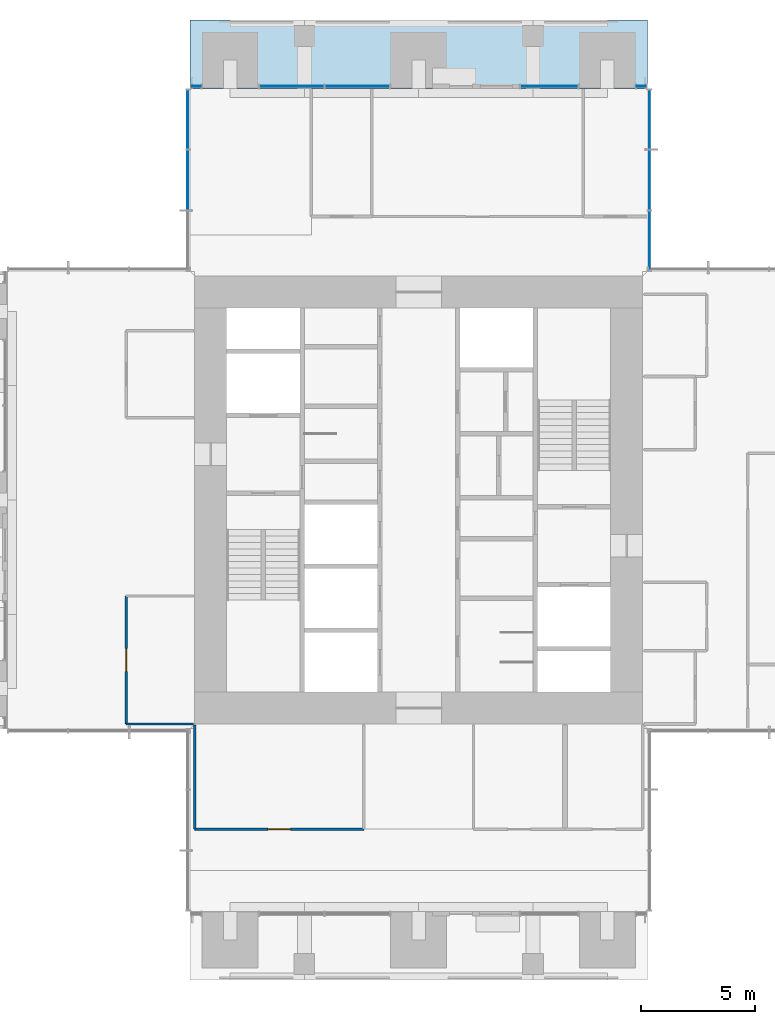
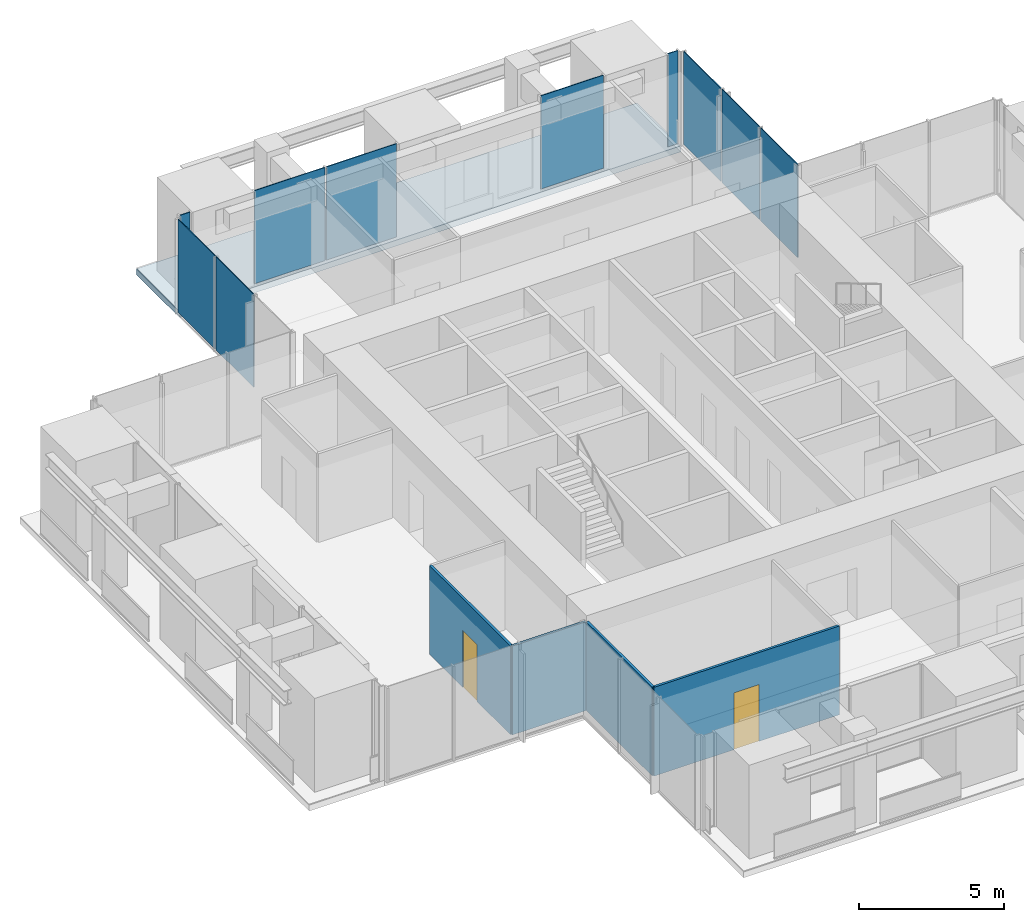
# One storey, part 11 of 17: 10 plates, 4 walls, 2 doors, 1 slab, 2 openings, 6 elements without a shape of their own.
"""IFC4 building model written with IfcOpenShell, lengths in metres."""

from ifc_helpers import new_model, si_unit, direction, frame, frame_2d, origin, origin_2d, place, context, subcontext, project, spatial, polyline, rectangle, outline, extrude, material, layer, layer_set, type_object, element, fill, aggregate, save


model = new_model("IFC4")

# Units and contexts
model_context = context("Model", 3, precision=1e-05, world=origin(), true_north=direction((0.0, 1.0)))
body_context = subcontext(model_context, "Body", "Model", "MODEL_VIEW")
ifc_project = project(units=[si_unit("LENGTHUNIT", "METRE"), si_unit("AREAUNIT", "SQUARE_METRE"), si_unit("VOLUMEUNIT", "CUBIC_METRE"), si_unit("PLANEANGLEUNIT", "RADIAN"), si_unit("MASSUNIT", "GRAM", prefix="KILO")], contexts=[model_context])

# Site, building, storey
site_placement = place(None, origin())
site = spatial("IfcSite", under=ifc_project, at=site_placement, CompositionType="ELEMENT")
building_placement = place(site_placement, origin())
building = spatial("IfcBuilding", under=site, at=building_placement, Name="Svetlomir Tower", CompositionType="ELEMENT")
storey_placement = place(building_placement, frame((0.0, 0.0, 226.5)))
storey = spatial("IfcBuildingStorey", under=building, at=storey_placement, Name="L54", CompositionType="ELEMENT", Elevation=226.5)

# Curtain wall, plates
ifc_material_1 = material(Name="Bronze anodised aluminium curtain wall", Category="aluminium")
curtain_wall_type = type_object("IfcCurtainWallType", Name="CURTAIN WALL CW1 TOWER OFFICE", PredefinedType="NOTDEFINED", material=ifc_material_1)
curtain_wall_1_placement = place(storey_placement, origin())
curtain_wall_1 = element("IfcCurtainWall", 1, at=curtain_wall_1_placement, inside=storey, type_object=curtain_wall_type, Name="Curtain wall CW1 L54", PredefinedType="NOTDEFINED")
ifc_material_2 = material(Name="Tinted double glazed unit", Category="glass")
ifc_layer_1 = layer(ifc_material_2, 0.031982421875)
ifc_layer_set_1 = layer_set([ifc_layer_1], Name="Tinted double glazed unit")
plate_type = type_object("IfcPlateType", Name="CW1 GLAZED PANEL 32", PredefinedType="CURTAIN_PANEL", material=ifc_layer_set_1)
plate_1_placement = place(storey_placement, frame((31.10009765625, 32.349609375, 0.06494140625), z_axis=(0.0, 0.0, 1.0), x_axis=(0.0, 1.0, 0.0)))
plate_1 = element("IfcPlate", 2, at=plate_1_placement, type_object=plate_type, Name="CW1 panel 1.1", PredefinedType="CURTAIN_PANEL", context=body_context, shape_type="SweptSolid", body=[
    extrude(rectangle(XDim=2.569091796875, YDim=0.031982421875, at=origin_2d()), origin(), (0.0, 0.0, 1.0), 3.93505859375),
])
plate_2_placement = place(storey_placement, frame((31.10009765625, 35.0, 0.06494140625), z_axis=(0.0, 0.0, 1.0), x_axis=(0.0, 1.0, 0.0)))
plate_2 = element("IfcPlate", 3, at=plate_2_placement, type_object=plate_type, Name="CW1 panel 2.1", PredefinedType="CURTAIN_PANEL", context=body_context, shape_type="SweptSolid", body=[
    extrude(rectangle(XDim=2.6015625, YDim=0.031982421875, at=origin_2d()), origin(), (0.0, 0.0, 1.0), 3.93505859375),
])
plate_3_placement = place(storey_placement, frame((31.10009765625, 37.650390625, 0.06494140625), z_axis=(0.0, 0.0, 1.0), x_axis=(0.0, 1.0, 0.0)))
plate_3 = element("IfcPlate", 4, at=plate_3_placement, type_object=plate_type, Name="CW1 panel 3.1", PredefinedType="CURTAIN_PANEL", context=body_context, shape_type="SweptSolid", body=[
    extrude(rectangle(XDim=2.569091796875, YDim=0.031982421875, at=origin_2d()), origin(), (0.0, 0.0, 1.0), 3.93505859375),
])
aggregate(curtain_wall_1, [plate_1, plate_2, plate_3])

# Curtain wall, plate
curtain_wall_2_placement = place(storey_placement, origin())
curtain_wall_2 = element("IfcCurtainWall", 5, at=curtain_wall_2_placement, inside=storey, type_object=curtain_wall_type, Name="Curtain wall CW1 L54", PredefinedType="NOTDEFINED")
plate_4_placement = place(storey_placement, frame((30.737548828125, 39.10009765625, 0.06494140625), z_axis=(0.0, 0.0, 1.0), x_axis=(-1.0, 0.0, 0.0)))
plate_4 = element("IfcPlate", 6, at=plate_4_placement, type_object=plate_type, Name="CW1 panel 1.1", PredefinedType="CURTAIN_PANEL", context=body_context, shape_type="SweptSolid", body=[
    extrude(rectangle(XDim=0.39501953125, YDim=0.031982421875, at=origin_2d()), origin(), (0.0, 0.0, 1.0), 3.93505859375),
])
aggregate(curtain_wall_2, [plate_4])

curtain_wall_3_placement = place(storey_placement, origin())
curtain_wall_3 = element("IfcCurtainWall", 7, at=curtain_wall_3_placement, inside=storey, type_object=curtain_wall_type, Name="Curtain wall CW1 L54", PredefinedType="NOTDEFINED")
plate_5_placement = place(storey_placement, frame((26.71240234375, 39.10009765625, 0.06494140625), z_axis=(0.0, 0.0, 1.0), x_axis=(-1.0, 0.0, 0.0)))
plate_5 = element("IfcPlate", 8, at=plate_5_placement, type_object=plate_type, Name="CW1 panel 1.1", PredefinedType="CURTAIN_PANEL", context=body_context, shape_type="SweptSolid", body=[
    extrude(rectangle(XDim=2.4951171875, YDim=0.031982421875, at=origin_2d()), origin(), (0.0, 0.0, 1.0), 3.93505859375),
])
aggregate(curtain_wall_3, [plate_5])

# Curtain wall, plates
curtain_wall_4_placement = place(storey_placement, origin())
curtain_wall_4 = element("IfcCurtainWall", 9, at=curtain_wall_4_placement, inside=storey, type_object=curtain_wall_type, Name="Curtain wall CW1 L54", PredefinedType="NOTDEFINED")
plate_6_placement = place(storey_placement, frame((18.308837890625, 39.10009765625, 0.06494140625), z_axis=(0.0, 0.0, 1.0), x_axis=(-1.0, 0.0, 0.0)))
plate_6 = element("IfcPlate", 10, at=plate_6_placement, type_object=plate_type, Name="CW1 panel 1.1", PredefinedType="CURTAIN_PANEL", context=body_context, shape_type="SweptSolid", body=[
    extrude(rectangle(XDim=2.802490234375, YDim=0.031982421875, at=origin_2d()), origin(), (0.0, 0.0, 1.0), 3.93505859375),
])
plate_7_placement = place(storey_placement, frame((15.441162109375, 39.10009765625, 0.06494140625), z_axis=(0.0, 0.0, 1.0), x_axis=(-1.0, 0.0, 0.0)))
plate_7 = element("IfcPlate", 11, at=plate_7_placement, type_object=plate_type, Name="CW1 panel 2.1", PredefinedType="CURTAIN_PANEL", context=body_context, shape_type="SweptSolid", body=[
    extrude(rectangle(XDim=2.802490234375, YDim=0.031982421875, at=origin_2d()), origin(), (0.0, 0.0, 1.0), 3.93505859375),
])
aggregate(curtain_wall_4, [plate_6, plate_7])

# Curtain wall, plate
curtain_wall_5_placement = place(storey_placement, origin())
curtain_wall_5 = element("IfcCurtainWall", 12, at=curtain_wall_5_placement, inside=storey, type_object=curtain_wall_type, Name="Curtain wall CW1 L54", PredefinedType="NOTDEFINED")
plate_8_placement = place(storey_placement, frame((11.262451171875, 39.10009765625, 0.06494140625), z_axis=(0.0, 0.0, 1.0), x_axis=(-1.0, 0.0, 0.0)))
plate_8 = element("IfcPlate", 13, at=plate_8_placement, type_object=plate_type, Name="CW1 panel 1.1", PredefinedType="CURTAIN_PANEL", context=body_context, shape_type="SweptSolid", body=[
    extrude(rectangle(XDim=0.39501953125, YDim=0.031982421875, at=origin_2d()), origin(), (0.0, 0.0, 1.0), 3.93505859375),
])
aggregate(curtain_wall_5, [plate_8])

# Curtain wall, plates
curtain_wall_6_placement = place(storey_placement, origin())
curtain_wall_6 = element("IfcCurtainWall", 14, at=curtain_wall_6_placement, inside=storey, type_object=curtain_wall_type, Name="Curtain wall CW1 L54", PredefinedType="NOTDEFINED")
plate_9_placement = place(storey_placement, frame((10.89990234375, 37.650390625, 0.06494140625), z_axis=(0.0, 0.0, 1.0), x_axis=(0.0, -1.0, 0.0)))
plate_9 = element("IfcPlate", 15, at=plate_9_placement, type_object=plate_type, Name="CW1 panel 1.1", PredefinedType="CURTAIN_PANEL", context=body_context, shape_type="SweptSolid", body=[
    extrude(rectangle(XDim=2.569091796875, YDim=0.031982421875, at=origin_2d()), origin(), (0.0, 0.0, 1.0), 3.93505859375),
])
plate_10_placement = place(storey_placement, frame((10.89990234375, 35.0, 0.06494140625), z_axis=(0.0, 0.0, 1.0), x_axis=(0.0, -1.0, 0.0)))
plate_10 = element("IfcPlate", 16, at=plate_10_placement, type_object=plate_type, Name="CW1 panel 2.1", PredefinedType="CURTAIN_PANEL", context=body_context, shape_type="SweptSolid", body=[
    extrude(rectangle(XDim=2.6015625, YDim=0.031982421875, at=origin_2d()), origin(), (0.0, 0.0, 1.0), 3.93505859375),
])
aggregate(curtain_wall_6, [plate_9, plate_10])

# Slab
ifc_material_3 = material(Name="Concrete C60/75", Category="concrete")
ifc_layer_2 = layer(ifc_material_3, 0.25)
ifc_layer_set_2 = layer_set([ifc_layer_2], Name="Concrete C60/75")
slab_type = type_object("IfcSlabType", Name="PLANTED LOGGIA SLAB 250", PredefinedType="FLOOR", material=ifc_layer_set_2)
slab_placement = place(storey_placement, frame((0.0, 0.0, -0.25)))
element("IfcSlab", 17, at=slab_placement, inside=storey, type_object=slab_type, Name="L54 N planted loggia", PredefinedType="FLOOR", context=body_context, shape_type="SweptSolid", body=[
    extrude(outline(polyline([(11.0, 39.0), (31.0, 39.0), (31.0, 42.0), (11.0, 42.0), (11.0, 39.0)])), origin(), (0.0, 0.0, 1.0), 0.25),
])

# Wall, opening, door
ifc_material_4 = material(Name="Framed laminated glass partition", Category="glass")
ifc_layer_3 = layer(ifc_material_4, 0.10009765625)
ifc_layer_set_3 = layer_set([ifc_layer_3], Name="Framed laminated glass partition")
wall_type = type_object("IfcWallType", Name="GLAZED PARTITION 100", PredefinedType="PARTITIONING", material=ifc_layer_set_3)
wall_1_placement = place(storey_placement, frame((8.199951171875, 11.199951171875, 0.0), z_axis=(0.0, 0.0, 1.0), x_axis=(0.0, 1.0, 0.0)))
wall_1 = element("IfcWall", 18, at=wall_1_placement, inside=storey, type_object=wall_type, Name="Glazed partition L54", PredefinedType="PARTITIONING", context=body_context, shape_type="SweptSolid", body=[
    extrude(rectangle(XDim=5.60009765625, YDim=0.10009765625, at=frame_2d((2.800048828125, 0.0))), origin(), (0.0, 0.0, 1.0), 3.75),
])
opening_1_placement = place(wall_1_placement, frame((2.300048828125, 0.0, 0.0)))
opening_1 = element("IfcOpeningElement", 19, at=opening_1_placement, cuts=wall_1, Name="Opening DG", PredefinedType="OPENING", context=body_context, shape_type="SweptSolid", body=[
    extrude(rectangle(XDim=1.0, YDim=2.39990234375, at=frame_2d((0.5, 1.199951171875))), frame((0.0, 0.06005859375, 0.0), z_axis=(0.0, -1.0, 0.0), x_axis=(1.0, 0.0, 0.0)), (0.0, 0.0, 1.0), 0.1201171875),
])
ifc_material_5 = material(Name="Framed laminated glass door", Category="glass")
door_type = type_object("IfcDoorType", Name="GLAZED DOOR DG 1000x2400", OperationType="SINGLE_SWING_LEFT", PredefinedType="DOOR", material=ifc_material_5)
door_1_placement = place(opening_1_placement, origin())
door_1 = element("IfcDoor", 20, at=door_1_placement, inside=storey, type_object=door_type, Name="Meeting room, 6 seats 2 door L54", OperationType="SINGLE_SWING_RIGHT", OverallHeight=2.39990234375, OverallWidth=1.0, PredefinedType="DOOR", context=body_context, shape_type="SweptSolid", body=[
    extrude(rectangle(XDim=1.0, YDim=2.39990234375, at=frame_2d((0.5, 1.199951171875))), frame((0.0, 0.02490234375, 0.0), z_axis=(0.0, -1.0, 0.0), x_axis=(1.0, 0.0, 0.0)), (0.0, 0.0, 1.0), 0.050048828125),
])
fill(opening_1, door_1)

# Walls
wall_2_placement = place(storey_placement, frame((8.199951171875, 11.199951171875, 0.0), z_axis=(0.0, 0.0, 1.0), x_axis=(1.0, 0.0, 0.0)))
element("IfcWall", 21, at=wall_2_placement, inside=storey, type_object=wall_type, Name="Glazed partition L54", PredefinedType="PARTITIONING", context=body_context, shape_type="SweptSolid", body=[
    extrude(rectangle(XDim=2.949951171875, YDim=0.10009765625, at=frame_2d((1.47509765625, 0.0))), origin(), (0.0, 0.0, 1.0), 3.75),
])
wall_3_placement = place(storey_placement, frame((11.199951171875, 6.60009765625, 0.0), z_axis=(0.0, 0.0, 1.0), x_axis=(0.0, 1.0, 0.0)))
element("IfcWall", 22, at=wall_3_placement, inside=storey, type_object=wall_type, Name="Glazed partition L54", PredefinedType="PARTITIONING", context=body_context, shape_type="SweptSolid", body=[
    extrude(rectangle(XDim=4.5498046875, YDim=0.10009765625, at=frame_2d((2.27490234375, 0.0))), origin(), (0.0, 0.0, 1.0), 3.75),
])

# Wall, opening, door
wall_4_placement = place(storey_placement, frame((11.199951171875, 6.60009765625, 0.0), z_axis=(0.0, 0.0, 1.0), x_axis=(1.0, 0.0, 0.0)))
wall_4 = element("IfcWall", 23, at=wall_4_placement, inside=storey, type_object=wall_type, Name="Glazed partition L54", PredefinedType="PARTITIONING", context=body_context, shape_type="SweptSolid", body=[
    extrude(rectangle(XDim=7.400146484375, YDim=0.10009765625, at=frame_2d((3.7001953125, 0.0))), origin(), (0.0, 0.0, 1.0), 3.75),
])
opening_2_placement = place(wall_4_placement, frame((3.199951171875, 0.0, 0.0)))
opening_2 = element("IfcOpeningElement", 24, at=opening_2_placement, cuts=wall_4, Name="Opening DG", PredefinedType="OPENING", context=body_context, shape_type="SweptSolid", body=[
    extrude(rectangle(XDim=1.0, YDim=2.39990234375, at=frame_2d((0.5, 1.199951171875))), frame((0.0, 0.06005859375, 0.0), z_axis=(0.0, -1.0, 0.0), x_axis=(1.0, 0.0, 0.0)), (0.0, 0.0, 1.0), 0.1201171875),
])
door_2_placement = place(opening_2_placement, origin())
door_2 = element("IfcDoor", 25, at=door_2_placement, inside=storey, type_object=door_type, Name="Briefing room, 12 seats door L54", OperationType="SINGLE_SWING_RIGHT", OverallHeight=2.39990234375, OverallWidth=1.0, PredefinedType="DOOR", context=body_context, shape_type="SweptSolid", body=[
    extrude(rectangle(XDim=1.0, YDim=2.39990234375, at=frame_2d((0.5, 1.199951171875))), frame((0.0, 0.02490234375, 0.0), z_axis=(0.0, -1.0, 0.0), x_axis=(1.0, 0.0, 0.0)), (0.0, 0.0, 1.0), 0.050048828125),
])
fill(opening_2, door_2)

save(model, "model.ifc")
